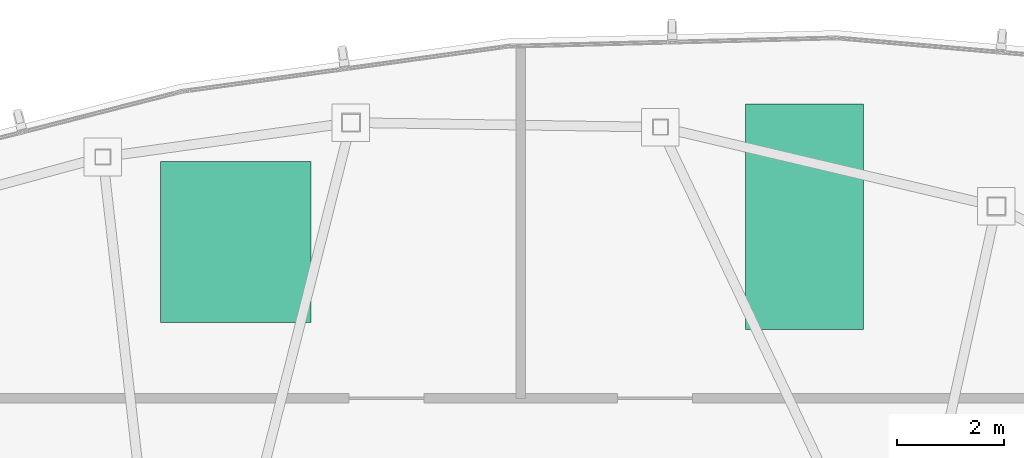
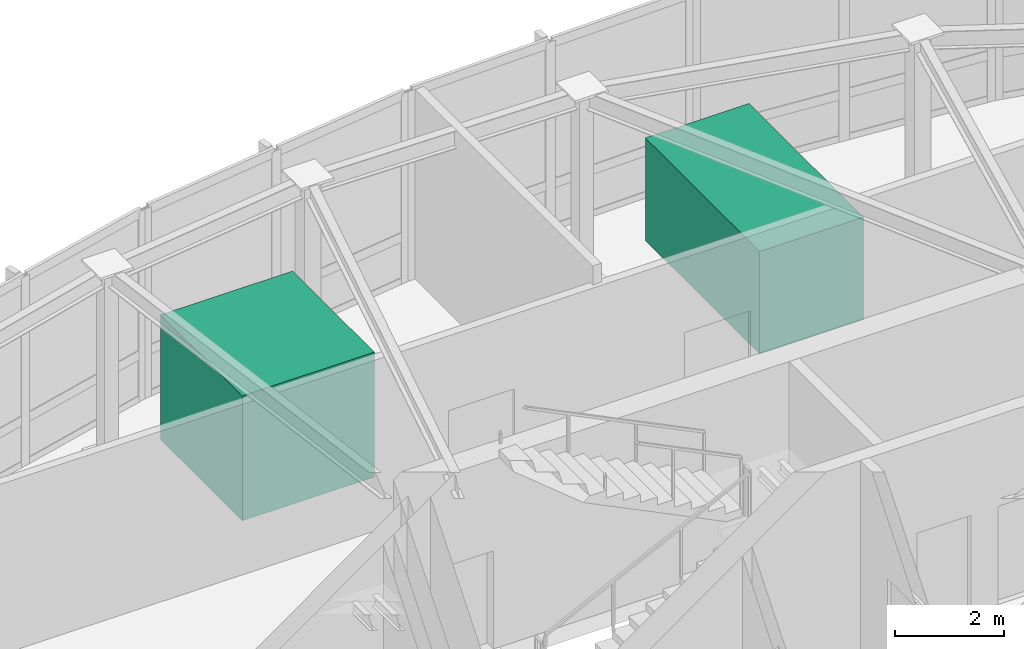
# One storey, part 10 of 10: 1 chiller, 1 cooling tower.
"""IFC4 building model written with IfcOpenShell, lengths in metres."""

import ifcopenshell
import ifcopenshell.guid

model = None  # the IFC model being written
_history = None  # IfcOwnerHistory: only IFC2X3 demands one
_inside = {}  # id of a spatial element -> (the spatial element, [elements in it])
_under = {}  # id of a project, library or spatial element -> (it, [spatial elements below it])
_declared = {}  # id of a project -> (the project, [libraries it declares])
_typed = {}  # id of a type object -> (the type object, [elements of that type])
_made_of = {}  # id of a material, layer set ... -> (it, [elements and type objects made of it])


def new_model(schema):
    """Start an empty IFC model of exactly this schema.

    Asked for "IFC4X3", IfcOpenShell would pick the latest addendum, in which some entities
    have other attributes; the version numbers below select the first issue.
    IFC2X3 requires an IfcOwnerHistory on every rooted entity: one is made here for all.
    """
    global model, _history
    if schema == "IFC4X3":
        model = ifcopenshell.file(schema_version=(4, 3, 0, 0))
    else:
        model = ifcopenshell.file(schema=schema)
    _inside.clear()
    _under.clear()
    _declared.clear()
    _typed.clear()
    _made_of.clear()
    _history = None
    if model.schema == "IFC2X3":
        org = make("IfcOrganization", Name="unknown")
        user = make(
            "IfcPersonAndOrganization",
            ThePerson=make("IfcPerson", FamilyName="unknown"),
            TheOrganization=org,
        )
        app = make(
            "IfcApplication",
            ApplicationDeveloper=org,
            Version="unknown",
            ApplicationFullName="unknown",
            ApplicationIdentifier="unknown",
        )
        _history = make(
            "IfcOwnerHistory",
            OwningUser=user,
            OwningApplication=app,
            ChangeAction="ADDED",
            CreationDate=0,
        )
    return model


def make(cls, **values):
    """One entity of the class cls with the attributes given. An attribute that is None is left unset."""
    return model.create_entity(
        cls, **{name: value for name, value in values.items() if value is not None}
    )


def rooted(cls, **values):
    """An entity with a GlobalId (a new one), such as an element, a storey or a relation."""
    return make(cls, GlobalId=ifcopenshell.guid.new(), OwnerHistory=_history, **values)


def si_unit(unit_type, name, prefix=None):
    """IfcSIUnit, for example si_unit("LENGTHUNIT", "METRE", prefix="MILLI")."""
    return make("IfcSIUnit", UnitType=unit_type, Prefix=prefix, Name=name)


def assignment(units):
    """IfcUnitAssignment: the units of a project."""
    return None if units is None else make("IfcUnitAssignment", Units=units)


def point(xyz):
    """IfcCartesianPoint."""
    return None if xyz is None else make("IfcCartesianPoint", Coordinates=xyz)


def direction(xyz):
    """IfcDirection."""
    return None if xyz is None else make("IfcDirection", DirectionRatios=xyz)


def frame(location, z_axis=None, x_axis=None):
    """IfcAxis2Placement3D, a coordinate frame: its origin and axes. An axis left out is left unset."""
    return make(
        "IfcAxis2Placement3D",
        Location=point(location),
        Axis=direction(z_axis),
        RefDirection=direction(x_axis),
    )


def frame_2d(location, x_axis=None):
    """IfcAxis2Placement2D, a coordinate frame in the plane: its origin and x axis."""
    return make(
        "IfcAxis2Placement2D", Location=point(location), RefDirection=direction(x_axis)
    )


def origin():
    """The frame at (0, 0, 0) with its axes left unset."""
    return frame((0.0, 0.0, 0.0))


def origin_2d():
    """The frame at (0, 0) in the plane with its x axis left unset."""
    return frame_2d((0.0, 0.0))


def place(relative_to, where):
    """IfcLocalPlacement: puts the frame where relative to a parent placement (None: the world)."""
    return make(
        "IfcLocalPlacement", PlacementRelTo=relative_to, RelativePlacement=where
    )


def context(
    kind, dimensions, precision=None, world=None, true_north=None, identifier=None
):
    """IfcGeometricRepresentationContext, for example the 3D "Model" context."""
    return make(
        "IfcGeometricRepresentationContext",
        ContextIdentifier=identifier,
        ContextType=kind,
        CoordinateSpaceDimension=dimensions,
        Precision=precision,
        WorldCoordinateSystem=world,
        TrueNorth=true_north,
    )


def subcontext(parent, identifier, kind, view, scale=None):
    """IfcGeometricRepresentationSubContext, for example "Body" below "Model"."""
    return make(
        "IfcGeometricRepresentationSubContext",
        ContextIdentifier=identifier,
        ContextType=kind,
        ParentContext=parent,
        TargetScale=scale,
        TargetView=view,
    )


def project(units=None, contexts=None):
    """IfcProject with its units and contexts."""
    return rooted(
        "IfcProject",
        Name="project",
        RepresentationContexts=contexts,
        UnitsInContext=assignment(units),
    )


def spatial(cls, under=None, at=None, **own):
    """A site, building, storey or space (cls), placed at a placement, below another one or the project."""
    s = rooted(cls, ObjectPlacement=at, **own)
    if under is not None:
        _under.setdefault(under.id(), (under, []))[1].append(s)
    return s


def profile(cls, at=None, kind="AREA", **sizes):
    """A parametric profile (cls). Its sizes go by their IFC names, for example OverallWidth=200.0."""
    return make(cls, ProfileType=kind, Position=at, **sizes)


def rectangle(**sizes):
    """IfcRectangleProfileDef."""
    return profile("IfcRectangleProfileDef", **sizes)


def extrude(swept, where, along, depth):
    """IfcExtrudedAreaSolid: the profile swept, set in the frame where, extruded along a direction by depth."""
    return make(
        "IfcExtrudedAreaSolid",
        SweptArea=swept,
        Position=where,
        ExtrudedDirection=direction(along),
        Depth=depth,
    )


def shape(context_of_items, identifier, shape_type, items):
    """IfcShapeRepresentation: the items that make up one representation, for example the "Body"."""
    return make(
        "IfcShapeRepresentation",
        ContextOfItems=context_of_items,
        RepresentationIdentifier=identifier,
        RepresentationType=shape_type,
        Items=items,
    )


def material(Name=None, Category=None):
    """IfcMaterial."""
    return make("IfcMaterial", Name=Name, Category=Category)


def made_of(thing, what):
    """Note that an element or type object is made of a material, layer set ...; save() writes the relation."""
    if what is not None:
        _made_of.setdefault(what.id(), (what, []))[1].append(thing)
    return thing


def type_object(cls, material=None, **own):
    """A type object (cls), such as IfcWallType, which elements share."""
    return made_of(rooted(cls, **own), material)


def element(
    cls,
    number,
    at=None,
    inside=None,
    cuts=None,
    type_object=None,
    material=None,
    context=None,
    identifier="Body",
    shape_type=None,
    held_by="IfcProductDefinitionShape",
    body=None,
    shapes=None,
    **own,
):
    """One element of the class cls, such as IfcWall. Its Tag is "e" and its number.

    at: its placement. inside: the storey or other place that contains it. cuts: it is an
    opening in that element (IfcRelVoidsElement). A single representation is given by context,
    identifier, shape_type and body (its items); several are given by shapes. held_by: the class
    of the entity that holds the representations. save() writes the other relations.
    """
    e = rooted(cls, Tag="e%d" % number, ObjectPlacement=at, **own)
    if body is not None:
        shapes = [shape(context, identifier, shape_type, body)]
    if shapes is not None:
        e.Representation = make(held_by, Representations=shapes)
    if inside is not None:
        _inside.setdefault(inside.id(), (inside, []))[1].append(e)
    if cuts is not None:
        rooted(
            "IfcRelVoidsElement", RelatingBuildingElement=cuts, RelatedOpeningElement=e
        )
    if type_object is not None:
        _typed.setdefault(type_object.id(), (type_object, []))[1].append(e)
    return made_of(e, material)


def aggregate(whole, parts):
    """IfcRelAggregates: a whole, such as a stair, and the parts it consists of."""
    return rooted("IfcRelAggregates", RelatingObject=whole, RelatedObjects=parts)


def save(model, path):
    """Write the relations noted so far, then the file.

    IfcRelAggregates (storeys below a building ...), IfcRelContainedInSpatialStructure (elements
    in a storey), IfcRelDefinesByType, IfcRelAssociatesMaterial and IfcRelDeclares: one each for
    every whole, place, type object, material and project.
    """
    for whole, parts in _under.values():
        aggregate(whole, parts)
    for where, things in _inside.values():
        rooted(
            "IfcRelContainedInSpatialStructure",
            RelatedElements=things,
            RelatingStructure=where,
        )
    for kind, things in _typed.values():
        rooted("IfcRelDefinesByType", RelatedObjects=things, RelatingType=kind)
    for what, things in _made_of.values():
        rooted("IfcRelAssociatesMaterial", RelatedObjects=things, RelatingMaterial=what)
    for by, libraries in _declared.values():
        rooted("IfcRelDeclares", RelatingContext=by, RelatedDefinitions=libraries)
    model.write(path)


model = new_model("IFC4")

# Units and contexts
model_context = context("Model", 3, precision=1e-05, world=origin(), true_north=direction((0.0, 1.0)))
body_context = subcontext(model_context, "Body", "Model", "MODEL_VIEW")
ifc_project = project(units=[si_unit("LENGTHUNIT", "METRE"), si_unit("AREAUNIT", "SQUARE_METRE"), si_unit("VOLUMEUNIT", "CUBIC_METRE"), si_unit("PLANEANGLEUNIT", "RADIAN"), si_unit("MASSUNIT", "GRAM", prefix="KILO")], contexts=[model_context])

# Site, building, storey
site_placement = place(None, origin())
site = spatial("IfcSite", under=ifc_project, at=site_placement, CompositionType="ELEMENT")
building_placement = place(site_placement, origin())
building = spatial("IfcBuilding", under=site, at=building_placement, Name="Tavelor Broadcast Tower", CompositionType="ELEMENT")
storey_placement = place(building_placement, frame((0.0, 0.0, 350.5)))
storey = spatial("IfcBuildingStorey", under=building, at=storey_placement, Name="L83", CompositionType="ELEMENT", Elevation=350.5)

# Chiller
ifc_material = material(Name="Steel S355", Category="steel")
chiller_type = type_object("IfcChillerType", Name="Centrifugal Water-Cooled Chiller Package 2500 kW", PredefinedType="WATERCOOLED", material=ifc_material)
chiller_placement = place(storey_placement, frame((54.785888671875, 59.03173828125, 0.0), z_axis=(0.0, 0.0, 1.0), x_axis=(1.0, 0.0, 0.0)))
element("IfcChiller", 1, at=chiller_placement, inside=storey, type_object=chiller_type, Name="L83 Centrifugal Water-Cooled Chiller #17", PredefinedType="WATERCOOLED", context=body_context, shape_type="SweptSolid", body=[
    extrude(rectangle(XDim=2.199951171875, YDim=4.199951171875, at=origin_2d()), origin(), (0.0, 0.0, 1.0), 2.300048828125),
])

# Cooling tower
cooling_tower_type = type_object("IfcCoolingTowerType", Name="Induced-Draught Acoustic Cooling Tower Cell", PredefinedType="MECHANICALINDUCEDDRAFT", material=ifc_material)
cooling_tower_placement = place(storey_placement, frame((44.190185546875, 58.558349609375, 0.0), z_axis=(0.0, 0.0, 1.0), x_axis=(1.0, 0.0, 0.0)))
element("IfcCoolingTower", 2, at=cooling_tower_placement, inside=storey, type_object=cooling_tower_type, Name="L83 Induced-Draught Acoustic Cooling Tower #18", PredefinedType="MECHANICALINDUCEDDRAFT", context=body_context, shape_type="SweptSolid", body=[
    extrude(rectangle(XDim=2.800048828125, YDim=3.0, at=origin_2d()), origin(), (0.0, 0.0, 1.0), 2.800048828125),
])

save(model, "model.ifc")
